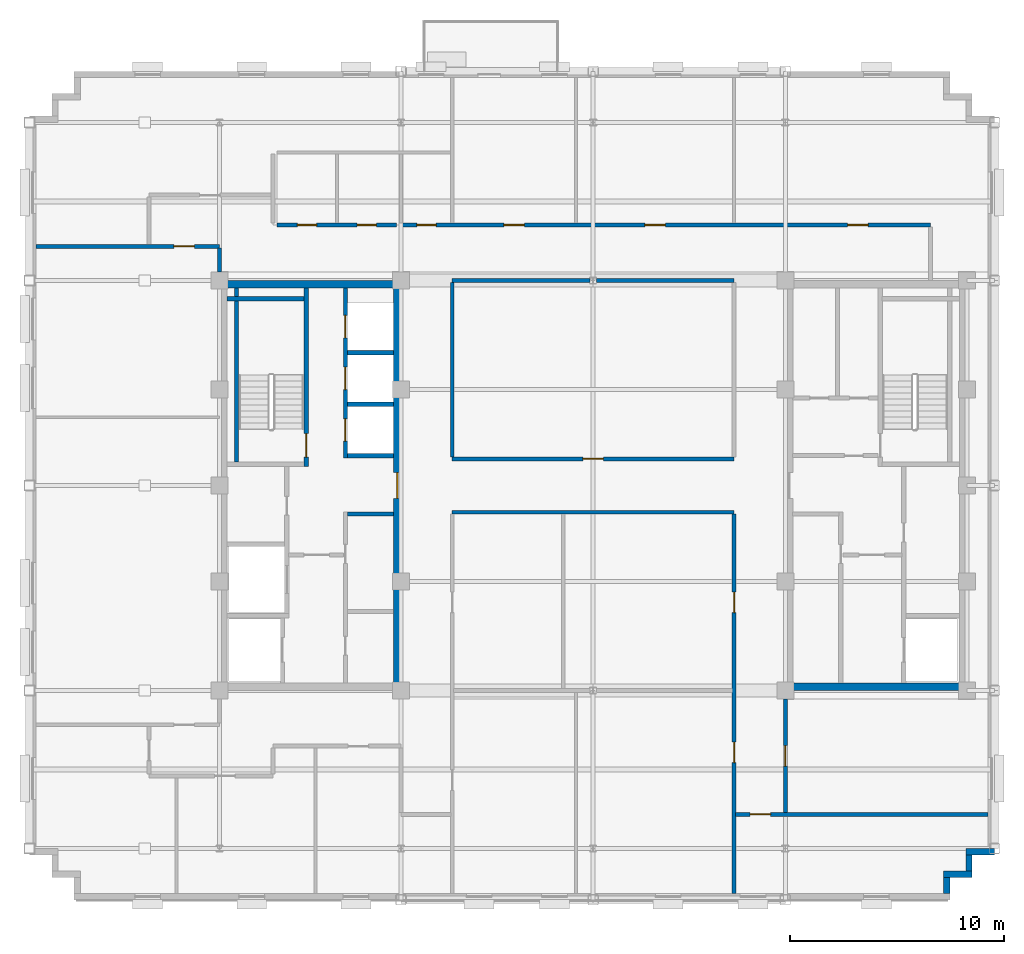
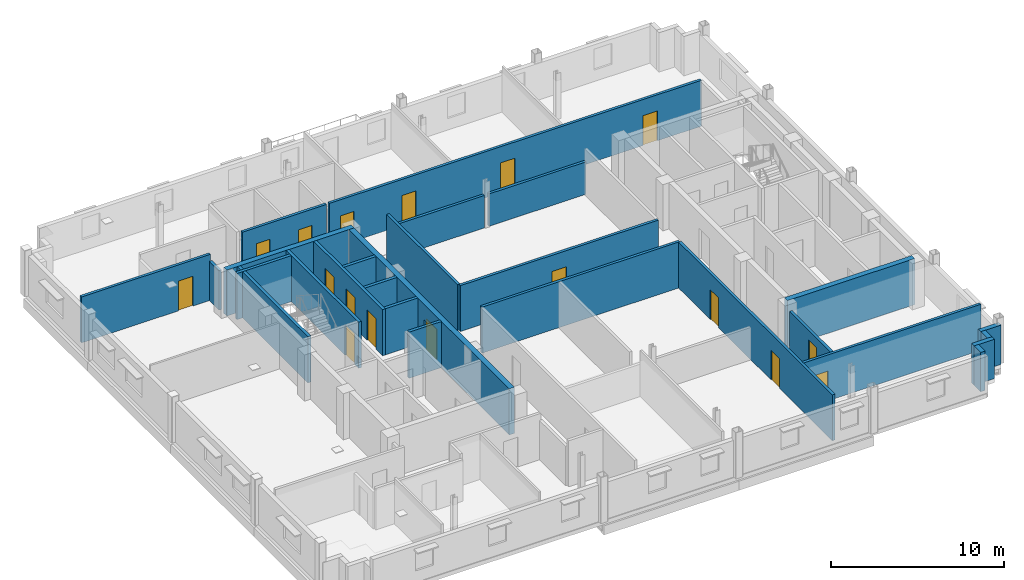
# One storey, part 7 of 14: 27 walls, 17 doors, 17 openings.
"""IFC4 building model written with IfcOpenShell, lengths in metres."""

import ifcopenshell
import ifcopenshell.guid

model = None  # the IFC model being written
_history = None  # IfcOwnerHistory: only IFC2X3 demands one
_inside = {}  # id of a spatial element -> (the spatial element, [elements in it])
_under = {}  # id of a project, library or spatial element -> (it, [spatial elements below it])
_declared = {}  # id of a project -> (the project, [libraries it declares])
_typed = {}  # id of a type object -> (the type object, [elements of that type])
_made_of = {}  # id of a material, layer set ... -> (it, [elements and type objects made of it])


def new_model(schema):
    """Start an empty IFC model of exactly this schema.

    Asked for "IFC4X3", IfcOpenShell would pick the latest addendum, in which some entities
    have other attributes; the version numbers below select the first issue.
    IFC2X3 requires an IfcOwnerHistory on every rooted entity: one is made here for all.
    """
    global model, _history
    if schema == "IFC4X3":
        model = ifcopenshell.file(schema_version=(4, 3, 0, 0))
    else:
        model = ifcopenshell.file(schema=schema)
    _inside.clear()
    _under.clear()
    _declared.clear()
    _typed.clear()
    _made_of.clear()
    _history = None
    if model.schema == "IFC2X3":
        org = make("IfcOrganization", Name="unknown")
        user = make(
            "IfcPersonAndOrganization",
            ThePerson=make("IfcPerson", FamilyName="unknown"),
            TheOrganization=org,
        )
        app = make(
            "IfcApplication",
            ApplicationDeveloper=org,
            Version="unknown",
            ApplicationFullName="unknown",
            ApplicationIdentifier="unknown",
        )
        _history = make(
            "IfcOwnerHistory",
            OwningUser=user,
            OwningApplication=app,
            ChangeAction="ADDED",
            CreationDate=0,
        )
    return model


def make(cls, **values):
    """One entity of the class cls with the attributes given. An attribute that is None is left unset."""
    return model.create_entity(
        cls, **{name: value for name, value in values.items() if value is not None}
    )


def rooted(cls, **values):
    """An entity with a GlobalId (a new one), such as an element, a storey or a relation."""
    return make(cls, GlobalId=ifcopenshell.guid.new(), OwnerHistory=_history, **values)


def si_unit(unit_type, name, prefix=None):
    """IfcSIUnit, for example si_unit("LENGTHUNIT", "METRE", prefix="MILLI")."""
    return make("IfcSIUnit", UnitType=unit_type, Prefix=prefix, Name=name)


def assignment(units):
    """IfcUnitAssignment: the units of a project."""
    return None if units is None else make("IfcUnitAssignment", Units=units)


def point(xyz):
    """IfcCartesianPoint."""
    return None if xyz is None else make("IfcCartesianPoint", Coordinates=xyz)


def direction(xyz):
    """IfcDirection."""
    return None if xyz is None else make("IfcDirection", DirectionRatios=xyz)


def frame(location, z_axis=None, x_axis=None):
    """IfcAxis2Placement3D, a coordinate frame: its origin and axes. An axis left out is left unset."""
    return make(
        "IfcAxis2Placement3D",
        Location=point(location),
        Axis=direction(z_axis),
        RefDirection=direction(x_axis),
    )


def frame_2d(location, x_axis=None):
    """IfcAxis2Placement2D, a coordinate frame in the plane: its origin and x axis."""
    return make(
        "IfcAxis2Placement2D", Location=point(location), RefDirection=direction(x_axis)
    )


def origin():
    """The frame at (0, 0, 0) with its axes left unset."""
    return frame((0.0, 0.0, 0.0))


def place(relative_to, where):
    """IfcLocalPlacement: puts the frame where relative to a parent placement (None: the world)."""
    return make(
        "IfcLocalPlacement", PlacementRelTo=relative_to, RelativePlacement=where
    )


def context(
    kind, dimensions, precision=None, world=None, true_north=None, identifier=None
):
    """IfcGeometricRepresentationContext, for example the 3D "Model" context."""
    return make(
        "IfcGeometricRepresentationContext",
        ContextIdentifier=identifier,
        ContextType=kind,
        CoordinateSpaceDimension=dimensions,
        Precision=precision,
        WorldCoordinateSystem=world,
        TrueNorth=true_north,
    )


def subcontext(parent, identifier, kind, view, scale=None):
    """IfcGeometricRepresentationSubContext, for example "Body" below "Model"."""
    return make(
        "IfcGeometricRepresentationSubContext",
        ContextIdentifier=identifier,
        ContextType=kind,
        ParentContext=parent,
        TargetScale=scale,
        TargetView=view,
    )


def project(units=None, contexts=None):
    """IfcProject with its units and contexts."""
    return rooted(
        "IfcProject",
        Name="project",
        RepresentationContexts=contexts,
        UnitsInContext=assignment(units),
    )


def spatial(cls, under=None, at=None, **own):
    """A site, building, storey or space (cls), placed at a placement, below another one or the project."""
    s = rooted(cls, ObjectPlacement=at, **own)
    if under is not None:
        _under.setdefault(under.id(), (under, []))[1].append(s)
    return s


def profile(cls, at=None, kind="AREA", **sizes):
    """A parametric profile (cls). Its sizes go by their IFC names, for example OverallWidth=200.0."""
    return make(cls, ProfileType=kind, Position=at, **sizes)


def rectangle(**sizes):
    """IfcRectangleProfileDef."""
    return profile("IfcRectangleProfileDef", **sizes)


def extrude(swept, where, along, depth):
    """IfcExtrudedAreaSolid: the profile swept, set in the frame where, extruded along a direction by depth."""
    return make(
        "IfcExtrudedAreaSolid",
        SweptArea=swept,
        Position=where,
        ExtrudedDirection=direction(along),
        Depth=depth,
    )


def shape(context_of_items, identifier, shape_type, items):
    """IfcShapeRepresentation: the items that make up one representation, for example the "Body"."""
    return make(
        "IfcShapeRepresentation",
        ContextOfItems=context_of_items,
        RepresentationIdentifier=identifier,
        RepresentationType=shape_type,
        Items=items,
    )


def source(mapping_origin, context_of_items, identifier, shape_type, items):
    """IfcRepresentationMap: a shape defined once, which mapped items show again and again."""
    return make(
        "IfcRepresentationMap",
        MappingOrigin=mapping_origin,
        MappedRepresentation=shape(context_of_items, identifier, shape_type, items),
    )


def transform(
    local_origin,
    x_axis=None,
    y_axis=None,
    z_axis=None,
    scale=None,
    scale2=None,
    scale3=None,
    uniform=True,
):
    """IfcCartesianTransformationOperator3D, or its non-uniform kind. x_axis, y_axis, z_axis: its Axis1, 2, 3."""
    if uniform:
        return make(
            "IfcCartesianTransformationOperator3D",
            Axis1=direction(x_axis),
            Axis2=direction(y_axis),
            LocalOrigin=point(local_origin),
            Scale=scale,
            Axis3=direction(z_axis),
        )
    return make(
        "IfcCartesianTransformationOperator3DnonUniform",
        Axis1=direction(x_axis),
        Axis2=direction(y_axis),
        LocalOrigin=point(local_origin),
        Scale=scale,
        Axis3=direction(z_axis),
        Scale2=scale2,
        Scale3=scale3,
    )


def mapped(mapping_source, mapping_target):
    """IfcMappedItem: shows the shape of a source again, moved by a transform."""
    return make(
        "IfcMappedItem", MappingSource=mapping_source, MappingTarget=mapping_target
    )


def material(Name=None, Category=None):
    """IfcMaterial."""
    return make("IfcMaterial", Name=Name, Category=Category)


def layer(
    of_material, thickness, ventilated=None, Name=None, Category=None, Priority=None
):
    """IfcMaterialLayer: one layer of a wall or slab, of a material (None: an air gap)."""
    return make(
        "IfcMaterialLayer",
        Material=of_material,
        LayerThickness=thickness,
        IsVentilated=ventilated,
        Name=Name,
        Category=Category,
        Priority=Priority,
    )


def layer_set(layers, Name=None):
    """IfcMaterialLayerSet."""
    return make("IfcMaterialLayerSet", MaterialLayers=layers, LayerSetName=Name)


def made_of(thing, what):
    """Note that an element or type object is made of a material, layer set ...; save() writes the relation."""
    if what is not None:
        _made_of.setdefault(what.id(), (what, []))[1].append(thing)
    return thing


def type_object(cls, material=None, **own):
    """A type object (cls), such as IfcWallType, which elements share."""
    return made_of(rooted(cls, **own), material)


def type_shapes(of_type, sources):
    """Give a type object the sources (RepresentationMaps) that its elements show as mapped items."""
    of_type.RepresentationMaps = sources


def element(
    cls,
    number,
    at=None,
    inside=None,
    cuts=None,
    type_object=None,
    material=None,
    context=None,
    identifier="Body",
    shape_type=None,
    held_by="IfcProductDefinitionShape",
    body=None,
    shapes=None,
    **own,
):
    """One element of the class cls, such as IfcWall. Its Tag is "e" and its number.

    at: its placement. inside: the storey or other place that contains it. cuts: it is an
    opening in that element (IfcRelVoidsElement). A single representation is given by context,
    identifier, shape_type and body (its items); several are given by shapes. held_by: the class
    of the entity that holds the representations. save() writes the other relations.
    """
    e = rooted(cls, Tag="e%d" % number, ObjectPlacement=at, **own)
    if body is not None:
        shapes = [shape(context, identifier, shape_type, body)]
    if shapes is not None:
        e.Representation = make(held_by, Representations=shapes)
    if inside is not None:
        _inside.setdefault(inside.id(), (inside, []))[1].append(e)
    if cuts is not None:
        rooted(
            "IfcRelVoidsElement", RelatingBuildingElement=cuts, RelatedOpeningElement=e
        )
    if type_object is not None:
        _typed.setdefault(type_object.id(), (type_object, []))[1].append(e)
    return made_of(e, material)


def fill(opening, filler):
    """IfcRelFillsElement: the door or window that sits in an opening."""
    return rooted(
        "IfcRelFillsElement",
        RelatingOpeningElement=opening,
        RelatedBuildingElement=filler,
    )


def aggregate(whole, parts):
    """IfcRelAggregates: a whole, such as a stair, and the parts it consists of."""
    return rooted("IfcRelAggregates", RelatingObject=whole, RelatedObjects=parts)


def save(model, path):
    """Write the relations noted so far, then the file.

    IfcRelAggregates (storeys below a building ...), IfcRelContainedInSpatialStructure (elements
    in a storey), IfcRelDefinesByType, IfcRelAssociatesMaterial and IfcRelDeclares: one each for
    every whole, place, type object, material and project.
    """
    for whole, parts in _under.values():
        aggregate(whole, parts)
    for where, things in _inside.values():
        rooted(
            "IfcRelContainedInSpatialStructure",
            RelatedElements=things,
            RelatingStructure=where,
        )
    for kind, things in _typed.values():
        rooted("IfcRelDefinesByType", RelatedObjects=things, RelatingType=kind)
    for what, things in _made_of.values():
        rooted("IfcRelAssociatesMaterial", RelatedObjects=things, RelatingMaterial=what)
    for by, libraries in _declared.values():
        rooted("IfcRelDeclares", RelatingContext=by, RelatedDefinitions=libraries)
    model.write(path)


model = new_model("IFC4")

# Units and contexts
model_context = context("Model", 3, precision=1e-05, world=origin(), true_north=direction((0.0, 1.0)))
body_context = subcontext(model_context, "Body", "Model", "MODEL_VIEW")
ifc_project = project(units=[si_unit("LENGTHUNIT", "METRE"), si_unit("AREAUNIT", "SQUARE_METRE"), si_unit("VOLUMEUNIT", "CUBIC_METRE"), si_unit("PLANEANGLEUNIT", "RADIAN"), si_unit("MASSUNIT", "GRAM", prefix="KILO")], contexts=[model_context])

# Site, building, storey
site_placement = place(None, origin())
site = spatial("IfcSite", under=ifc_project, at=site_placement, CompositionType="ELEMENT")
building_placement = place(site_placement, origin())
building = spatial("IfcBuilding", under=site, at=building_placement, Name="Nuvemarco Arch Tower", CompositionType="ELEMENT")
storey_placement = place(building_placement, frame((0.0, 0.0, 242.0)))
storey = spatial("IfcBuildingStorey", under=building, at=storey_placement, Name="L64", CompositionType="ELEMENT", Elevation=242.0)

# Walls
ifc_material_1 = material(Name="Precast concrete C45/55", Category="concrete")
ifc_layer_1 = layer(ifc_material_1, 0.300048828125, Name="EW-HIGH-300")
ifc_layer_set_1 = layer_set([ifc_layer_1], Name="Precast concrete C45/55")
wall_type_1 = type_object("IfcWallType", Name="EW-HIGH-300", PredefinedType="STANDARD", material=ifc_layer_set_1)
wall_1_placement = place(storey_placement, frame((16.550048828125, -19.10400390625, 0.0), z_axis=(0.0, 0.0, 1.0), x_axis=(0.0, 1.0, 0.0)))
element("IfcWall", 1, at=wall_1_placement, inside=storey, type_object=wall_type_1, Name="L64 exterior precast facade wall 2", PredefinedType="STANDARD", context=body_context, shape_type="SweptSolid", body=[
    extrude(rectangle(XDim=0.758056640625, YDim=0.300048828125, at=frame_2d((0.37890625, 0.0))), origin(), (0.0, 0.0, 1.0), 2.77197265625),
])
wall_2_placement = place(storey_placement, frame((16.39990234375, -18.199951171875, 0.0), z_axis=(0.0, 0.0, 1.0), x_axis=(1.0, 0.0, 0.0)))
element("IfcWall", 2, at=wall_2_placement, inside=storey, type_object=wall_type_1, Name="L64 exterior precast facade wall 3", PredefinedType="STANDARD", context=body_context, shape_type="SweptSolid", body=[
    extrude(rectangle(XDim=1.35009765625, YDim=0.300048828125, at=frame_2d((0.675048828125, 0.0))), origin(), (0.0, 0.0, 1.0), 2.77197265625),
])
wall_3_placement = place(storey_placement, frame((17.60009765625, -18.053955078125, 0.0), z_axis=(0.0, 0.0, 1.0), x_axis=(0.0, 1.0, 0.0)))
element("IfcWall", 3, at=wall_3_placement, inside=storey, type_object=wall_type_1, Name="L64 exterior precast facade wall 4", PredefinedType="STANDARD", context=body_context, shape_type="SweptSolid", body=[
    extrude(rectangle(XDim=0.758056640625, YDim=0.300048828125, at=frame_2d((0.37890625, 0.0))), origin(), (0.0, 0.0, 1.0), 2.77197265625),
])
wall_4_placement = place(storey_placement, frame((17.449951171875, -17.14990234375, 0.0), z_axis=(0.0, 0.0, 1.0), x_axis=(1.0, 0.0, 0.0)))
element("IfcWall", 4, at=wall_4_placement, inside=storey, type_object=wall_type_1, Name="L64 exterior precast facade wall 5", PredefinedType="STANDARD", context=body_context, shape_type="SweptSolid", body=[
    extrude(rectangle(XDim=1.35009765625, YDim=0.300048828125, at=frame_2d((0.675048828125, 0.0))), origin(), (0.0, 0.0, 1.0), 2.77197265625),
])
ifc_material_2 = material(Name="Concrete C50/60", Category="concrete")
ifc_layer_2 = layer(ifc_material_2, 0.35009765625, Name="WL-CORE-350")
ifc_layer_set_2 = layer_set([ifc_layer_2], Name="Concrete C50/60")
wall_type_2 = type_object("IfcWallType", Name="WL-CORE-350", PredefinedType="SHEAR", material=ifc_layer_set_2)
wall_5_placement = place(storey_placement, frame((-17.5, 9.425048828125, 0.0), z_axis=(0.0, 0.0, 1.0), x_axis=(1.0, 0.0, 0.0)))
element("IfcWall", 5, at=wall_5_placement, inside=storey, type_object=wall_type_2, Name="L64 W-core shear wall N", PredefinedType="SHEAR", context=body_context, shape_type="SweptSolid", body=[
    extrude(rectangle(XDim=8.5, YDim=0.35009765625, at=frame_2d((4.25, 0.0))), origin(), (0.0, 0.0, 1.0), 3.25),
])

# Wall, opening, door
wall_6_placement = place(storey_placement, frame((-9.175048828125, -9.2548828125, 0.0), z_axis=(0.0, 0.0, 1.0), x_axis=(0.0, 1.0, 0.0)))
wall_6 = element("IfcWall", 6, at=wall_6_placement, inside=storey, type_object=wall_type_2, Name="L64 W-core shear wall E", PredefinedType="SHEAR", context=body_context, shape_type="SweptSolid", body=[
    extrude(rectangle(XDim=18.509765625, YDim=0.35009765625, at=frame_2d((9.2548828125, 0.0))), origin(), (0.0, 0.0, 1.0), 3.25),
])
opening_1_placement = place(wall_6_placement, frame((8.655029296875, 0.0, 0.0)))
opening_1 = element("IfcOpeningElement", 7, at=opening_1_placement, cuts=wall_6, Name="Opening FD-2", PredefinedType="OPENING", context=body_context, shape_type="SweptSolid", body=[
    extrude(rectangle(XDim=1.199951171875, YDim=2.14990234375, at=frame_2d((0.60009765625, 1.074951171875))), frame((0.0, 0.18505859375, 0.0), z_axis=(0.0, -1.0, 0.0), x_axis=(1.0, 0.0, 0.0)), (0.0, 0.0, 1.0), 0.3701171875),
])
ifc_material_3 = material(Name="Anodised steel fire door", Category="steel")
door_type_1 = type_object("IfcDoorType", Name="DR-FFLOB-FD", OperationType="NOTDEFINED", PredefinedType="DOOR", material=ifc_material_3)
shared_shape_1 = source(origin(), body_context, "Body", "SweptSolid", [
    extrude(rectangle(XDim=1.199951171875, YDim=2.14990234375, at=frame_2d((0.60009765625, 1.074951171875))), frame((0.0, 0.02490234375, 0.0), z_axis=(0.0, -1.0, 0.0), x_axis=(1.0, 0.0, 0.0)), (0.0, 0.0, 1.0), 0.050048828125),
])
type_shapes(door_type_1, [shared_shape_1])
door_1_placement = place(opening_1_placement, origin())
door_1 = element("IfcDoor", 8, at=door_1_placement, inside=storey, type_object=door_type_1, Name="L64 door FD-L64-WCORE-E", OperationType="SINGLE_SWING_RIGHT", OverallHeight=2.14990234375, OverallWidth=1.199951171875, PredefinedType="DOOR", context=body_context, shape_type="MappedRepresentation", body=[
    mapped(shared_shape_1, transform((0.0, 0.0, 0.0), scale=1.0)),
])
fill(opening_1, door_1)

# Wall
wall_7_placement = place(storey_placement, frame((9.0, -9.425048828125, 0.0), z_axis=(0.0, 0.0, 1.0), x_axis=(1.0, 0.0, 0.0)))
element("IfcWall", 9, at=wall_7_placement, inside=storey, type_object=wall_type_2, Name="L64 E-core shear wall S", PredefinedType="SHEAR", context=body_context, shape_type="SweptSolid", body=[
    extrude(rectangle(XDim=8.5, YDim=0.35009765625, at=frame_2d((4.25, 0.0))), origin(), (0.0, 0.0, 1.0), 3.25),
])

# Wall, opening, door
ifc_material_4 = material(Name="Fire-rated gypsum drywall partition")
ifc_layer_3 = layer(ifc_material_4, 0.179931640625, Name="WL-CORR-180")
ifc_layer_set_3 = layer_set([ifc_layer_3], Name="Fire-rated gypsum drywall partition")
wall_type_3 = type_object("IfcWallType", Name="WL-CORR-180", PredefinedType="PARTITIONING", material=ifc_layer_set_3)
wall_8_placement = place(storey_placement, frame((6.666015625, -15.39990234375, 0.0), z_axis=(0.0, 0.0, 1.0), x_axis=(1.0, 0.0, 0.0)))
wall_8 = element("IfcWall", 10, at=wall_8_placement, inside=storey, type_object=wall_type_3, Name="L64 interior wall IW-L64-002", PredefinedType="PARTITIONING", context=body_context, shape_type="SweptSolid", body=[
    extrude(rectangle(XDim=11.833984375, YDim=0.179931640625, at=frame_2d((5.9169921875, 0.0))), origin(), (0.0, 0.0, 1.0), 3.239990234375),
])
opening_2_placement = place(wall_8_placement, frame((0.68701171875, 0.0, 0.0)))
opening_2 = element("IfcOpeningElement", 11, at=opening_2_placement, cuts=wall_8, Name="Opening FD-5", PredefinedType="OPENING", context=body_context, shape_type="SweptSolid", body=[
    extrude(rectangle(XDim=0.9599609375, YDim=2.10009765625, at=frame_2d((0.47998046875, 1.050048828125))), frame((0.0, 0.099853515625, 0.0), z_axis=(0.0, -1.0, 0.0), x_axis=(1.0, 0.0, 0.0)), (0.0, 0.0, 1.0), 0.199951171875),
])
ifc_material_5 = material(Name="Timber fire door", Category="wood")
door_type_2 = type_object("IfcDoorType", Name="DR-CORR-FD", OperationType="NOTDEFINED", PredefinedType="DOOR", material=ifc_material_5)
shared_shape_2 = source(origin(), body_context, "Body", "SweptSolid", [
    extrude(rectangle(XDim=0.9599609375, YDim=2.10009765625, at=frame_2d((0.47998046875, 1.050048828125))), frame((0.0, 0.02490234375, 0.0), z_axis=(0.0, -1.0, 0.0), x_axis=(1.0, 0.0, 0.0)), (0.0, 0.0, 1.0), 0.050048828125),
])
type_shapes(door_type_2, [shared_shape_2])
door_2_placement = place(opening_2_placement, origin())
door_2 = element("IfcDoor", 12, at=door_2_placement, inside=storey, type_object=door_type_2, Name="L64 door DR-L64-S_7", OperationType="SINGLE_SWING_RIGHT", OverallHeight=2.10009765625, OverallWidth=0.9599609375, PredefinedType="DOOR", context=body_context, shape_type="MappedRepresentation", body=[
    mapped(shared_shape_2, transform((0.0, 0.0, 0.0), scale=1.0)),
])
fill(opening_2, door_2)

# Wall
wall_9_placement = place(storey_placement, frame((-6.60009765625, -1.25, 0.0), z_axis=(0.0, 0.0, 1.0), x_axis=(1.0, 0.0, 0.0)))
element("IfcWall", 13, at=wall_9_placement, inside=storey, type_object=wall_type_3, Name="L64 interior wall IW-L64-008", PredefinedType="PARTITIONING", context=body_context, shape_type="SweptSolid", body=[
    extrude(rectangle(XDim=13.2001953125, YDim=0.179931640625, at=frame_2d((6.60009765625, 0.0))), origin(), (0.0, 0.0, 1.0), 3.239990234375),
])

# Wall, opening, door
wall_10_placement = place(storey_placement, frame((-6.60009765625, 1.25, 0.0), z_axis=(0.0, 0.0, 1.0), x_axis=(1.0, 0.0, 0.0)))
wall_10 = element("IfcWall", 14, at=wall_10_placement, inside=storey, type_object=wall_type_3, Name="L64 interior wall IW-L64-009", PredefinedType="PARTITIONING", context=body_context, shape_type="SweptSolid", body=[
    extrude(rectangle(XDim=13.2001953125, YDim=0.179931640625, at=frame_2d((6.60009765625, 0.0))), origin(), (0.0, 0.0, 1.0), 3.239990234375),
])
opening_3_placement = place(wall_10_placement, frame((6.1201171875, 0.0, 0.0)))
opening_3 = element("IfcOpeningElement", 15, at=opening_3_placement, cuts=wall_10, Name="Opening FD-5", PredefinedType="OPENING", context=body_context, shape_type="SweptSolid", body=[
    extrude(rectangle(XDim=0.9599609375, YDim=2.10009765625, at=frame_2d((0.47998046875, 1.050048828125))), frame((0.0, 0.099853515625, 0.0), z_axis=(0.0, -1.0, 0.0), x_axis=(1.0, 0.0, 0.0)), (0.0, 0.0, 1.0), 0.199951171875),
])
door_3_placement = place(opening_3_placement, origin())
door_3 = element("IfcDoor", 16, at=door_3_placement, inside=storey, type_object=door_type_2, Name="L64 door DR-L64-C_N1", OperationType="SINGLE_SWING_LEFT", OverallHeight=2.10009765625, OverallWidth=0.9599609375, PredefinedType="DOOR", context=body_context, shape_type="MappedRepresentation", body=[
    mapped(shared_shape_2, transform((0.0, 0.0, 0.0), scale=1.0)),
])
fill(opening_3, door_3)

# Walls
for number, where, z_axis, x_axis, name in (
    (17, (-6.60009765625, 9.60009765625, 0.0), (0.0, 0.0, 1.0), (1.0, 0.0, 0.0), "L64 interior wall IW-L64-011"),
    (18, (0.15087890625, 9.60009765625, 0.0), (0.0, 0.0, 1.0), (1.0, 0.0, 0.0), "L64 interior wall IW-L64-012"),
):
    element("IfcWall", number, at=place(storey_placement, frame(where, z_axis=z_axis, x_axis=x_axis)), inside=storey, type_object=wall_type_3, Name=name, PredefinedType="PARTITIONING", context=body_context, shape_type="SweptSolid", body=[
        extrude(rectangle(XDim=6.44921875, YDim=0.179931640625, at=frame_2d((3.224609375, 0.0))), origin(), (0.0, 0.0, 1.0), 2.284912109375),
    ])

# Wall, opening, door
wall_11_placement = place(storey_placement, frame((-26.10009765625, 11.199951171875, 0.0), z_axis=(0.0, 0.0, 1.0), x_axis=(1.0, 0.0, 0.0)))
wall_11 = element("IfcWall", 19, at=wall_11_placement, inside=storey, type_object=wall_type_3, Name="L64 interior wall IW-L64-013", PredefinedType="PARTITIONING", context=body_context, shape_type="SweptSolid", body=[
    extrude(rectangle(XDim=8.60009765625, YDim=0.179931640625, at=frame_2d((4.300048828125, 0.0))), origin(), (0.0, 0.0, 1.0), 3.239990234375),
])
opening_4_placement = place(wall_11_placement, frame((6.469970703125, 0.0, 0.0)))
opening_4 = element("IfcOpeningElement", 20, at=opening_4_placement, cuts=wall_11, Name="Opening FD-5", PredefinedType="OPENING", context=body_context, shape_type="SweptSolid", body=[
    extrude(rectangle(XDim=0.9599609375, YDim=2.10009765625, at=frame_2d((0.47998046875, 1.050048828125))), frame((0.0, 0.099853515625, 0.0), z_axis=(0.0, -1.0, 0.0), x_axis=(1.0, 0.0, 0.0)), (0.0, 0.0, 1.0), 0.199951171875),
])
door_4_placement = place(opening_4_placement, origin())
door_4 = element("IfcDoor", 21, at=door_4_placement, inside=storey, type_object=door_type_2, Name="L64 door DR-L64-W_2", OperationType="SINGLE_SWING_LEFT", OverallHeight=2.10009765625, OverallWidth=0.9599609375, PredefinedType="DOOR", context=body_context, shape_type="MappedRepresentation", body=[
    mapped(shared_shape_2, transform((0.0, 0.0, 0.0), scale=1.0)),
])
fill(opening_4, door_4)

# Wall, openings, doors
wall_12_placement = place(storey_placement, frame((-14.800048828125, 12.199951171875, 0.0), z_axis=(0.0, 0.0, 1.0), x_axis=(1.0, 0.0, 0.0)))
wall_12 = element("IfcWall", 22, at=wall_12_placement, inside=storey, type_object=wall_type_3, Name="L64 interior wall IW-L64-014", PredefinedType="PARTITIONING", context=body_context, shape_type="SweptSolid", body=[
    extrude(rectangle(XDim=5.60009765625, YDim=0.179931640625, at=frame_2d((2.800048828125, 0.0))), origin(), (0.0, 0.0, 1.0), 3.239990234375),
])
opening_5_placement = place(wall_12_placement, frame((0.949951171875, 0.0, 0.0)))
opening_5 = element("IfcOpeningElement", 23, at=opening_5_placement, cuts=wall_12, Name="Opening ID-3", PredefinedType="OPENING", context=body_context, shape_type="SweptSolid", body=[
    extrude(rectangle(XDim=0.89990234375, YDim=2.10009765625, at=frame_2d((0.449951171875, 1.050048828125))), frame((0.0, 0.099853515625, 0.0), z_axis=(0.0, -1.0, 0.0), x_axis=(1.0, 0.0, 0.0)), (0.0, 0.0, 1.0), 0.199951171875),
])
opening_6_placement = place(wall_12_placement, frame((3.75, 0.0, 0.0)))
opening_6 = element("IfcOpeningElement", 24, at=opening_6_placement, cuts=wall_12, Name="Opening ID-3", PredefinedType="OPENING", context=body_context, shape_type="SweptSolid", body=[
    extrude(rectangle(XDim=0.89990234375, YDim=2.10009765625, at=frame_2d((0.449951171875, 1.050048828125))), frame((0.0, 0.099853515625, 0.0), z_axis=(0.0, -1.0, 0.0), x_axis=(1.0, 0.0, 0.0)), (0.0, 0.0, 1.0), 0.199951171875),
])
ifc_material_6 = material(Name="Veneered oak timber fire door", Category="wood")
door_type_3 = type_object("IfcDoorType", Name="DR-WC-ACC", OperationType="NOTDEFINED", PredefinedType="DOOR", material=ifc_material_6)
shared_shape_3 = source(origin(), body_context, "Body", "SweptSolid", [
    extrude(rectangle(XDim=0.89990234375, YDim=2.10009765625, at=frame_2d((0.449951171875, 1.050048828125))), frame((0.0, 0.02490234375, 0.0), z_axis=(0.0, -1.0, 0.0), x_axis=(1.0, 0.0, 0.0)), (0.0, 0.0, 1.0), 0.050048828125),
])
type_shapes(door_type_3, [shared_shape_3])
door_5_placement = place(opening_5_placement, origin())
door_5 = element("IfcDoor", 25, at=door_5_placement, inside=storey, type_object=door_type_3, Name="L64 door DR-L64-WC_M", OperationType="SINGLE_SWING_LEFT", OverallHeight=2.10009765625, OverallWidth=0.89990234375, PredefinedType="DOOR", context=body_context, shape_type="MappedRepresentation", body=[
    mapped(shared_shape_3, transform((0.0, 0.0, 0.0), scale=1.0)),
])
fill(opening_5, door_5)
door_6_placement = place(opening_6_placement, origin())
door_6 = element("IfcDoor", 26, at=door_6_placement, inside=storey, type_object=door_type_3, Name="L64 door DR-L64-WC_F", OperationType="SINGLE_SWING_RIGHT", OverallHeight=2.10009765625, OverallWidth=0.89990234375, PredefinedType="DOOR", context=body_context, shape_type="MappedRepresentation", body=[
    mapped(shared_shape_3, transform((0.0, 0.0, 0.0), scale=1.0)),
])
fill(opening_6, door_6)

wall_13_placement = place(storey_placement, frame((-9.0, 12.199951171875, 0.0), z_axis=(0.0, 0.0, 1.0), x_axis=(1.0, 0.0, 0.0)))
wall_13 = element("IfcWall", 27, at=wall_13_placement, inside=storey, type_object=wall_type_3, Name="L64 interior wall IW-L64-015", PredefinedType="PARTITIONING", context=body_context, shape_type="SweptSolid", body=[
    extrude(rectangle(XDim=24.800048828125, YDim=0.179931640625, at=frame_2d((12.39990234375, 0.0))), origin(), (0.0, 0.0, 1.0), 3.239990234375),
])
opening_7_placement = place(wall_13_placement, frame((11.419921875, 0.0, 0.0)))
opening_7 = element("IfcOpeningElement", 28, at=opening_7_placement, cuts=wall_13, Name="Opening FD-5", PredefinedType="OPENING", context=body_context, shape_type="SweptSolid", body=[
    extrude(rectangle(XDim=0.9599609375, YDim=2.10009765625, at=frame_2d((0.47998046875, 1.050048828125))), frame((0.0, 0.099853515625, 0.0), z_axis=(0.0, -1.0, 0.0), x_axis=(1.0, 0.0, 0.0)), (0.0, 0.0, 1.0), 0.199951171875),
])
opening_8_placement = place(wall_13_placement, frame((20.919921875, 0.0, 0.0)))
opening_8 = element("IfcOpeningElement", 29, at=opening_8_placement, cuts=wall_13, Name="Opening FD-5", PredefinedType="OPENING", context=body_context, shape_type="SweptSolid", body=[
    extrude(rectangle(XDim=0.9599609375, YDim=2.10009765625, at=frame_2d((0.47998046875, 1.050048828125))), frame((0.0, 0.099853515625, 0.0), z_axis=(0.0, -1.0, 0.0), x_axis=(1.0, 0.0, 0.0)), (0.0, 0.0, 1.0), 0.199951171875),
])
opening_9_placement = place(wall_13_placement, frame((4.820068359375, 0.0, 0.0)))
opening_9 = element("IfcOpeningElement", 30, at=opening_9_placement, cuts=wall_13, Name="Opening FD-5", PredefinedType="OPENING", context=body_context, shape_type="SweptSolid", body=[
    extrude(rectangle(XDim=0.9599609375, YDim=2.10009765625, at=frame_2d((0.47998046875, 1.050048828125))), frame((0.0, 0.099853515625, 0.0), z_axis=(0.0, -1.0, 0.0), x_axis=(1.0, 0.0, 0.0)), (0.0, 0.0, 1.0), 0.199951171875),
])
opening_10_placement = place(wall_13_placement, frame((0.75, 0.0, 0.0)))
opening_10 = element("IfcOpeningElement", 31, at=opening_10_placement, cuts=wall_13, Name="Opening ID-3", PredefinedType="OPENING", context=body_context, shape_type="SweptSolid", body=[
    extrude(rectangle(XDim=0.89990234375, YDim=2.10009765625, at=frame_2d((0.449951171875, 1.050048828125))), frame((0.0, 0.099853515625, 0.0), z_axis=(0.0, -1.0, 0.0), x_axis=(1.0, 0.0, 0.0)), (0.0, 0.0, 1.0), 0.199951171875),
])
door_7_placement = place(opening_7_placement, origin())
door_7 = element("IfcDoor", 32, at=door_7_placement, inside=storey, type_object=door_type_2, Name="L64 door DR-L64-N_3", OperationType="SINGLE_SWING_RIGHT", OverallHeight=2.10009765625, OverallWidth=0.9599609375, PredefinedType="DOOR", context=body_context, shape_type="MappedRepresentation", body=[
    mapped(shared_shape_2, transform((0.0, 0.0, 0.0), scale=1.0)),
])
fill(opening_7, door_7)
door_8_placement = place(opening_8_placement, origin())
door_8 = element("IfcDoor", 33, at=door_8_placement, inside=storey, type_object=door_type_2, Name="L64 door DR-L64-N_4", OperationType="SINGLE_SWING_LEFT", OverallHeight=2.10009765625, OverallWidth=0.9599609375, PredefinedType="DOOR", context=body_context, shape_type="MappedRepresentation", body=[
    mapped(shared_shape_2, transform((0.0, 0.0, 0.0), scale=1.0)),
])
fill(opening_8, door_8)
door_9_placement = place(opening_9_placement, origin())
door_9 = element("IfcDoor", 34, at=door_9_placement, inside=storey, type_object=door_type_2, Name="L64 door DR-L64-N_2", OperationType="SINGLE_SWING_LEFT", OverallHeight=2.10009765625, OverallWidth=0.9599609375, PredefinedType="DOOR", context=body_context, shape_type="MappedRepresentation", body=[
    mapped(shared_shape_2, transform((0.0, 0.0, 0.0), scale=1.0)),
])
fill(opening_9, door_9)
door_10_placement = place(opening_10_placement, origin())
door_10 = element("IfcDoor", 35, at=door_10_placement, inside=storey, type_object=door_type_3, Name="L64 door DR-L64-WC_ACC", OperationType="SINGLE_SWING_LEFT", OverallHeight=2.10009765625, OverallWidth=0.89990234375, PredefinedType="DOOR", context=body_context, shape_type="MappedRepresentation", body=[
    mapped(shared_shape_3, transform((0.0, 0.0, 0.0), scale=1.0)),
])
fill(opening_10, door_10)

# Walls
wall_14_placement = place(storey_placement, frame((-17.5, 9.99609375, 0.0), z_axis=(0.0, 0.0, 1.0), x_axis=(0.0, 1.0, 0.0)))
element("IfcWall", 36, at=wall_14_placement, inside=storey, type_object=wall_type_3, Name="L64 interior wall IW-L64-022", PredefinedType="PARTITIONING", context=body_context, shape_type="SweptSolid", body=[
    extrude(rectangle(XDim=1.117919921875, YDim=0.179931640625, at=frame_2d((0.55908203125, 0.0))), origin(), (0.0, 0.0, 1.0), 2.77197265625),
])
wall_15_placement = place(storey_placement, frame((-6.60009765625, 1.3359375, 0.0), z_axis=(0.0, 0.0, 1.0), x_axis=(0.0, 1.0, 0.0)))
element("IfcWall", 37, at=wall_15_placement, inside=storey, type_object=wall_type_3, Name="L64 interior wall IW-L64-030", PredefinedType="PARTITIONING", context=body_context, shape_type="SweptSolid", body=[
    extrude(rectangle(XDim=8.177978515625, YDim=0.179931640625, at=frame_2d((4.0888671875, 0.0))), origin(), (0.0, 0.0, 1.0), 3.239990234375),
])

# Wall, openings, doors
wall_16_placement = place(storey_placement, frame((6.60009765625, -19.10009765625, 0.0), z_axis=(0.0, 0.0, 1.0), x_axis=(0.0, 1.0, 0.0)))
wall_16 = element("IfcWall", 38, at=wall_16_placement, inside=storey, type_object=wall_type_3, Name="L64 interior wall IW-L64-035", PredefinedType="PARTITIONING", context=body_context, shape_type="SweptSolid", body=[
    extrude(rectangle(XDim=17.76416015625, YDim=0.179931640625, at=frame_2d((8.882080078125, 0.0))), origin(), (0.0, 0.0, 1.0), 3.239990234375),
])
opening_11_placement = place(wall_16_placement, frame((13.152099609375, 0.0, 0.0)))
opening_11 = element("IfcOpeningElement", 39, at=opening_11_placement, cuts=wall_16, Name="Opening FD-5", PredefinedType="OPENING", context=body_context, shape_type="SweptSolid", body=[
    extrude(rectangle(XDim=0.9599609375, YDim=2.10009765625, at=frame_2d((0.47998046875, 1.050048828125))), frame((0.0, 0.099853515625, 0.0), z_axis=(0.0, -1.0, 0.0), x_axis=(1.0, 0.0, 0.0)), (0.0, 0.0, 1.0), 0.199951171875),
])
opening_12_placement = place(wall_16_placement, frame((6.1201171875, 0.0, 0.0)))
opening_12 = element("IfcOpeningElement", 40, at=opening_12_placement, cuts=wall_16, Name="Opening FD-5", PredefinedType="OPENING", context=body_context, shape_type="SweptSolid", body=[
    extrude(rectangle(XDim=0.9599609375, YDim=2.10009765625, at=frame_2d((0.47998046875, 1.050048828125))), frame((0.0, 0.099853515625, 0.0), z_axis=(0.0, -1.0, 0.0), x_axis=(1.0, 0.0, 0.0)), (0.0, 0.0, 1.0), 0.199951171875),
])
door_11_placement = place(opening_11_placement, origin())
door_11 = element("IfcDoor", 41, at=door_11_placement, inside=storey, type_object=door_type_2, Name="L64 door DR-L64-C_S2", OperationType="SINGLE_SWING_LEFT", OverallHeight=2.10009765625, OverallWidth=0.9599609375, PredefinedType="DOOR", context=body_context, shape_type="MappedRepresentation", body=[
    mapped(shared_shape_2, transform((0.0, 0.0, 0.0), scale=1.0)),
])
fill(opening_11, door_11)
door_12_placement = place(opening_12_placement, origin())
door_12 = element("IfcDoor", 42, at=door_12_placement, inside=storey, type_object=door_type_2, Name="L64 door DR-L64-S_5", OperationType="SINGLE_SWING_RIGHT", OverallHeight=2.10009765625, OverallWidth=0.9599609375, PredefinedType="DOOR", context=body_context, shape_type="MappedRepresentation", body=[
    mapped(shared_shape_2, transform((0.0, 0.0, 0.0), scale=1.0)),
])
fill(opening_12, door_12)

# Wall, opening, door
wall_17_placement = place(storey_placement, frame((9.0, -15.31396484375, 0.0), z_axis=(0.0, 0.0, 1.0), x_axis=(0.0, 1.0, 0.0)))
wall_17 = element("IfcWall", 43, at=wall_17_placement, inside=storey, type_object=wall_type_3, Name="L64 interior wall IW-L64-038", PredefinedType="PARTITIONING", context=body_context, shape_type="SweptSolid", body=[
    extrude(rectangle(XDim=5.31787109375, YDim=0.179931640625, at=frame_2d((2.658935546875, 0.0))), origin(), (0.0, 0.0, 1.0), 2.77197265625),
])
opening_13_placement = place(wall_17_placement, frame((2.178955078125, 0.0, 0.0)))
opening_13 = element("IfcOpeningElement", 44, at=opening_13_placement, cuts=wall_17, Name="Opening FD-5", PredefinedType="OPENING", context=body_context, shape_type="SweptSolid", body=[
    extrude(rectangle(XDim=0.9599609375, YDim=2.10009765625, at=frame_2d((0.47998046875, 1.050048828125))), frame((0.0, 0.099853515625, 0.0), z_axis=(0.0, -1.0, 0.0), x_axis=(1.0, 0.0, 0.0)), (0.0, 0.0, 1.0), 0.199951171875),
])
door_13_placement = place(opening_13_placement, origin())
door_13 = element("IfcDoor", 45, at=door_13_placement, inside=storey, type_object=door_type_2, Name="L64 door DR-L64-S_6", OperationType="SINGLE_SWING_LEFT", OverallHeight=2.10009765625, OverallWidth=0.9599609375, PredefinedType="DOOR", context=body_context, shape_type="MappedRepresentation", body=[
    mapped(shared_shape_2, transform((0.0, 0.0, 0.0), scale=1.0)),
])
fill(opening_13, door_13)

ifc_layer_4 = layer(ifc_material_2, 0.199951171875, Name="WL-SHAFT-220")
ifc_layer_set_4 = layer_set([ifc_layer_4], Name="Concrete C50/60")
wall_type_4 = type_object("IfcWallType", Name="WL-SHAFT-220", PredefinedType="SHEAR", material=ifc_layer_set_4)
wall_18_placement = place(storey_placement, frame((-13.43994140625, 0.89990234375, 0.0), z_axis=(0.0, 0.0, 1.0), x_axis=(0.0, 1.0, 0.0)))
wall_18 = element("IfcWall", 46, at=wall_18_placement, inside=storey, type_object=wall_type_4, Name="L64 structural shaft wall SW-L64-W-ST1E", PredefinedType="SHEAR", context=body_context, shape_type="SweptSolid", body=[
    extrude(rectangle(XDim=8.35498046875, YDim=0.199951171875, at=frame_2d((4.177490234375, 0.0))), origin(), (0.0, 0.0, 1.0), 3.25),
])
opening_14_placement = place(wall_18_placement, frame((1.530029296875, 0.0, 0.0), z_axis=(0.0, 0.0, 1.0), x_axis=(-1.0, 0.0, 0.0)))
opening_14 = element("IfcOpeningElement", 47, at=opening_14_placement, cuts=wall_18, Name="Opening FD-1", PredefinedType="OPENING", context=body_context, shape_type="SweptSolid", body=[
    extrude(rectangle(XDim=1.10009765625, YDim=2.14990234375, at=frame_2d((0.550048828125, 1.074951171875))), frame((0.0, 0.10986328125, 0.0), z_axis=(0.0, -1.0, 0.0), x_axis=(1.0, 0.0, 0.0)), (0.0, 0.0, 1.0), 0.219970703125),
])
door_type_4 = type_object("IfcDoorType", Name="DR-STAIR-FD", OperationType="NOTDEFINED", PredefinedType="DOOR", material=ifc_material_3)
shared_shape_4 = source(origin(), body_context, "Body", "SweptSolid", [
    extrude(rectangle(XDim=1.10009765625, YDim=2.14990234375, at=frame_2d((0.550048828125, 1.074951171875))), frame((0.0, 0.02490234375, 0.0), z_axis=(0.0, -1.0, 0.0), x_axis=(1.0, 0.0, 0.0)), (0.0, 0.0, 1.0), 0.050048828125),
])
type_shapes(door_type_4, [shared_shape_4])
door_14_placement = place(opening_14_placement, origin())
door_14 = element("IfcDoor", 48, at=door_14_placement, inside=storey, type_object=door_type_4, Name="L64 door FD-L64-ST1", OperationType="SINGLE_SWING_LEFT", OverallHeight=2.14990234375, OverallWidth=1.10009765625, PredefinedType="DOOR", context=body_context, shape_type="MappedRepresentation", body=[
    mapped(shared_shape_4, transform((0.0, 0.0, 0.0), scale=1.0)),
])
fill(opening_14, door_14)

# Walls
wall_19_placement = place(storey_placement, frame((-17.155029296875, 8.75, 0.0), z_axis=(0.0, 0.0, 1.0), x_axis=(1.0, 0.0, 0.0)))
element("IfcWall", 49, at=wall_19_placement, inside=storey, type_object=wall_type_4, Name="L64 structural shaft wall SW-L64-W-ST1N", PredefinedType="SHEAR", context=body_context, shape_type="SweptSolid", body=[
    extrude(rectangle(XDim=3.6201171875, YDim=0.199951171875, at=frame_2d((1.81005859375, 0.0))), origin(), (0.0, 0.0, 1.0), 3.25),
])
wall_20_placement = place(storey_placement, frame((-16.699951171875, 1.094970703125, 0.0), z_axis=(0.0, 0.0, 1.0), x_axis=(0.0, 1.0, 0.0)))
element("IfcWall", 50, at=wall_20_placement, inside=storey, type_object=wall_type_4, Name="L64 structural shaft wall SW-L64-W-ST1W", PredefinedType="SHEAR", context=body_context, shape_type="SweptSolid", body=[
    extrude(rectangle(XDim=8.159912109375, YDim=0.199951171875, at=frame_2d((4.080078125, 0.0))), origin(), (0.0, 0.0, 1.0), 3.25),
])
wall_21_placement = place(storey_placement, frame((-11.5048828125, -1.330078125, 0.0), z_axis=(0.0, 0.0, 1.0), x_axis=(1.0, 0.0, 0.0)))
element("IfcWall", 51, at=wall_21_placement, inside=storey, type_object=wall_type_4, Name="L64 structural shaft wall SW-L64-W-PLTOP", PredefinedType="SHEAR", context=body_context, shape_type="SweptSolid", body=[
    extrude(rectangle(XDim=2.159912109375, YDim=0.199951171875, at=frame_2d((1.080078125, 0.0))), origin(), (0.0, 0.0, 1.0), 3.25),
])

# Wall, openings, doors
wall_22_placement = place(storey_placement, frame((-11.60009765625, 1.300048828125, 0.0), z_axis=(0.0, 0.0, 1.0), x_axis=(0.0, 1.0, 0.0)))
wall_22 = element("IfcWall", 52, at=wall_22_placement, inside=storey, type_object=wall_type_4, Name="L64 structural shaft wall SW-L64-W-PHW", PredefinedType="SHEAR", context=body_context, shape_type="SweptSolid", body=[
    extrude(rectangle(XDim=7.954833984375, YDim=0.199951171875, at=frame_2d((3.9775390625, 0.0))), origin(), (0.0, 0.0, 1.0), 3.25),
])
opening_15_placement = place(wall_22_placement, frame((0.77490234375, 0.0, 0.0)))
opening_15 = element("IfcOpeningElement", 53, at=opening_15_placement, cuts=wall_22, Name="Opening LD-1", PredefinedType="OPENING", context=body_context, shape_type="SweptSolid", body=[
    extrude(rectangle(XDim=1.050048828125, YDim=2.14990234375, at=frame_2d((0.52490234375, 1.074951171875))), frame((0.0, 0.10986328125, 0.0), z_axis=(0.0, -1.0, 0.0), x_axis=(1.0, 0.0, 0.0)), (0.0, 0.0, 1.0), 0.219970703125),
])
opening_16_placement = place(wall_22_placement, frame((3.195068359375, 0.0, 0.0)))
opening_16 = element("IfcOpeningElement", 54, at=opening_16_placement, cuts=wall_22, Name="Opening LD-1", PredefinedType="OPENING", context=body_context, shape_type="SweptSolid", body=[
    extrude(rectangle(XDim=1.050048828125, YDim=2.14990234375, at=frame_2d((0.52490234375, 1.074951171875))), frame((0.0, 0.10986328125, 0.0), z_axis=(0.0, -1.0, 0.0), x_axis=(1.0, 0.0, 0.0)), (0.0, 0.0, 1.0), 0.219970703125),
])
opening_17_placement = place(wall_22_placement, frame((5.614990234375, 0.0, 0.0)))
opening_17 = element("IfcOpeningElement", 55, at=opening_17_placement, cuts=wall_22, Name="Opening LD-1", PredefinedType="OPENING", context=body_context, shape_type="SweptSolid", body=[
    extrude(rectangle(XDim=1.050048828125, YDim=2.14990234375, at=frame_2d((0.52490234375, 1.074951171875))), frame((0.0, 0.10986328125, 0.0), z_axis=(0.0, -1.0, 0.0), x_axis=(1.0, 0.0, 0.0)), (0.0, 0.0, 1.0), 0.219970703125),
])
ifc_material_7 = material(Name="Stainless steel lift door", Category="steel")
door_type_5 = type_object("IfcDoorType", Name="DR-LIFT-PASS", OperationType="DOUBLE_DOOR_SLIDING", PredefinedType="DOOR", material=ifc_material_7)
shared_shape_5 = source(origin(), body_context, "Body", "SweptSolid", [
    extrude(rectangle(XDim=1.050048828125, YDim=2.14990234375, at=frame_2d((0.52490234375, 1.074951171875))), frame((0.0, 0.02490234375, 0.0), z_axis=(0.0, -1.0, 0.0), x_axis=(1.0, 0.0, 0.0)), (0.0, 0.0, 1.0), 0.050048828125),
])
type_shapes(door_type_5, [shared_shape_5])
door_15_placement = place(opening_15_placement, origin())
door_15 = element("IfcDoor", 56, at=door_15_placement, inside=storey, type_object=door_type_5, Name="L64 Lift landing sliding door PH-1", OperationType="DOUBLE_DOOR_SLIDING", OverallHeight=2.14990234375, OverallWidth=1.050048828125, PredefinedType="DOOR", context=body_context, shape_type="MappedRepresentation", body=[
    mapped(shared_shape_5, transform((0.0, 0.0, 0.0), scale=1.0)),
])
fill(opening_15, door_15)
door_16_placement = place(opening_16_placement, origin())
door_16 = element("IfcDoor", 57, at=door_16_placement, inside=storey, type_object=door_type_5, Name="L64 Lift landing sliding door PH-2", OperationType="DOUBLE_DOOR_SLIDING", OverallHeight=2.14990234375, OverallWidth=1.050048828125, PredefinedType="DOOR", context=body_context, shape_type="MappedRepresentation", body=[
    mapped(shared_shape_5, transform((0.0, 0.0, 0.0), scale=1.0)),
])
fill(opening_16, door_16)
door_17_placement = place(opening_17_placement, origin())
door_17 = element("IfcDoor", 58, at=door_17_placement, inside=storey, type_object=door_type_5, Name="L64 Lift landing sliding door PH-3", OperationType="DOUBLE_DOOR_SLIDING", OverallHeight=2.14990234375, OverallWidth=1.050048828125, PredefinedType="DOOR", context=body_context, shape_type="MappedRepresentation", body=[
    mapped(shared_shape_5, transform((0.0, 0.0, 0.0), scale=1.0)),
])
fill(opening_17, door_17)

# Walls
for number, where, z_axis, x_axis, name in (
    (59, (-11.5048828125, 1.39990234375, 0.0), (0.0, 0.0, 1.0), (1.0, 0.0, 0.0), "L64 structural shaft wall SW-L64-W-PHD1"),
    (60, (-11.5048828125, 3.800048828125, 0.0), (0.0, 0.0, 1.0), (1.0, 0.0, 0.0), "L64 structural shaft wall SW-L64-W-PHD2"),
    (61, (-11.5048828125, 6.219970703125, 0.0), (0.0, 0.0, 1.0), (1.0, 0.0, 0.0), "L64 structural shaft wall SW-L64-W-PHD3"),
):
    element("IfcWall", number, at=place(storey_placement, frame(where, z_axis=z_axis, x_axis=x_axis)), inside=storey, type_object=wall_type_4, Name=name, PredefinedType="SHEAR", context=body_context, shape_type="SweptSolid", body=[
        extrude(rectangle(XDim=2.159912109375, YDim=0.199951171875, at=frame_2d((1.080078125, 0.0))), origin(), (0.0, 0.0, 1.0), 3.25),
    ])

save(model, "model.ifc")
